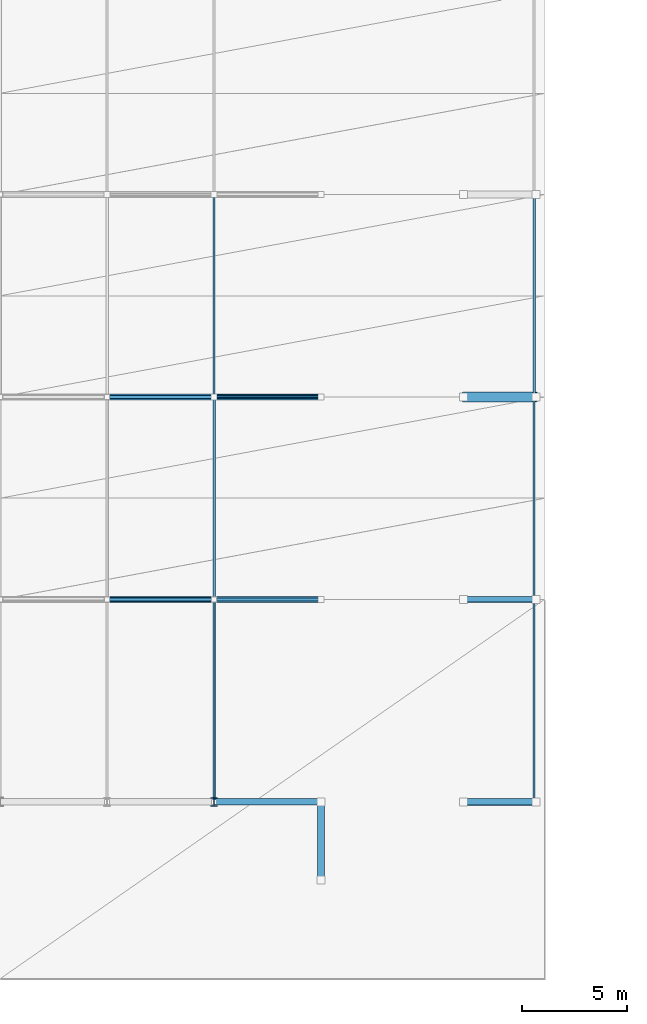
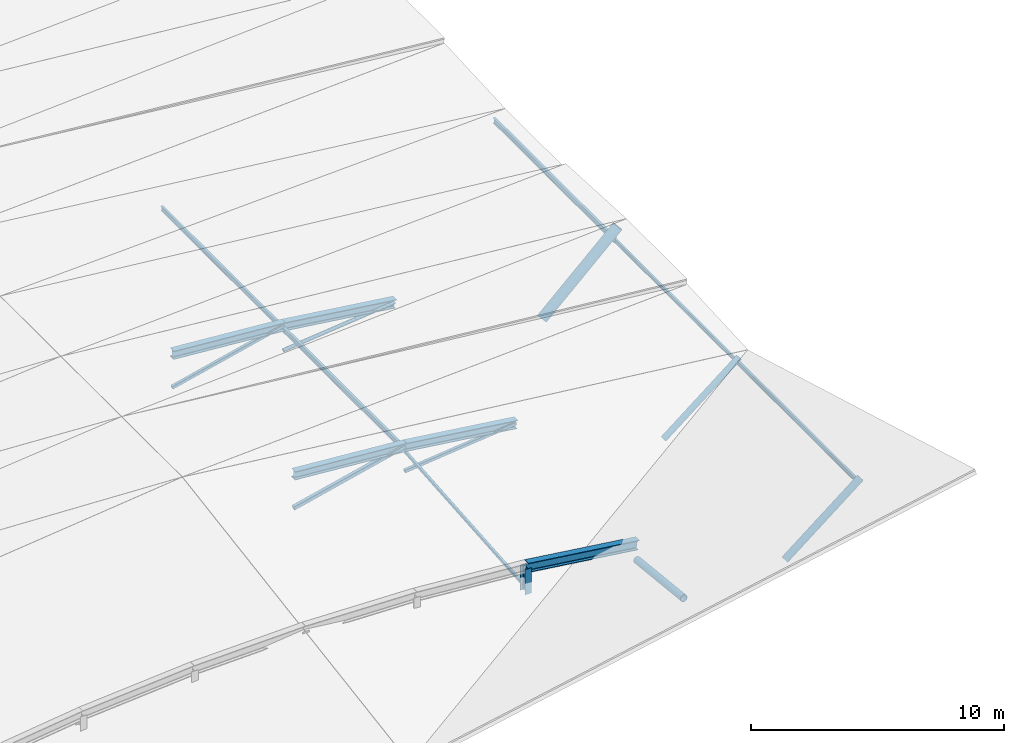
# One storey, part 6 of 16: 20 members.
"""IFC4 building model written with IfcOpenShell, lengths in metres."""

from ifc_helpers import new_model, si_unit, direction, frame, origin, origin_2d, place, context, subcontext, project, spatial, hollow_rectangle, hollow_circle, i_section, extrude, material, material_profile, profile_set, type_object, element, save


model = new_model("IFC4")

# Units and contexts
model_context = context("Model", 3, precision=1e-05, world=origin(), true_north=direction((0.0, 1.0)))
body_context = subcontext(model_context, "Body", "Model", "MODEL_VIEW")
ifc_project = project(units=[si_unit("LENGTHUNIT", "METRE"), si_unit("AREAUNIT", "SQUARE_METRE"), si_unit("VOLUMEUNIT", "CUBIC_METRE"), si_unit("PLANEANGLEUNIT", "RADIAN"), si_unit("MASSUNIT", "GRAM", prefix="KILO")], contexts=[model_context])

# Site, building, storey
site_placement = place(None, origin())
site = spatial("IfcSite", under=ifc_project, at=site_placement, CompositionType="ELEMENT")
building_placement = place(site_placement, origin())
building = spatial("IfcBuilding", under=site, at=building_placement, Name="Myrtia Square Station", CompositionType="ELEMENT")
storey_placement = place(building_placement, frame((0.0, 0.0, 22.800048828125)))
storey = spatial("IfcBuildingStorey", under=building, at=storey_placement, Name="RF", CompositionType="ELEMENT", Elevation=22.800048828125)

# Members
ifc_material = material(Name="Steel S355", Category="steel")
ifc_material_profile_1 = material_profile(ifc_material, hollow_circle(Radius=0.084228515625, WallThickness=0.010009765625, at=origin_2d()), Name="CHS 168.3x10")
ifc_profile_set_1 = profile_set([ifc_material_profile_1], Name="Steel S355")
member_type_1 = type_object("IfcMemberType", Name="BRC-CHS168", PredefinedType="BRACE", material=ifc_profile_set_1)
member_1_placement = place(storey_placement, frame((104.72509765625, 48.0, -1.449951171875), z_axis=(0.994182711445, 0.0, 0.107706714109), x_axis=(0.0, 1.0, 0.0)))
element("IfcMember", 1, at=member_1_placement, inside=storey, type_object=member_type_1, Name="Bowstring arch truss 03 web diagonal 6", PredefinedType="BRACE", context=body_context, shape_type="SweptSolid", body=[
    extrude(hollow_circle(Radius=0.084228515625, WallThickness=0.010009765625, at=origin_2d()), origin(), (0.0, 0.0, 1.0), 5.104736328125),
])
ifc_material_profile_2 = material_profile(ifc_material, hollow_rectangle(XDim=0.14990234375, YDim=0.14990234375, WallThickness=0.010009765625, InnerFilletRadius=0.010009765625, OuterFilletRadius=0.02001953125, at=origin_2d()), Name="SHS 150x150x10")
ifc_profile_set_2 = profile_set([ifc_material_profile_2], Name="Steel S355")
member_type_2 = type_object("IfcMemberType", Name="BRC-SHS150", PredefinedType="BRACE", material=ifc_profile_set_2)
member_2_placement = place(storey_placement, frame((104.72509765625, 38.39990234375, -1.449951171875), z_axis=(0.994182711445, 0.0, 0.107706714109), x_axis=(0.0, 1.0, 0.0)))
element("IfcMember", 2, at=member_2_placement, inside=storey, type_object=member_type_2, Name="Bowstring arch truss 02 web diagonal 6", PredefinedType="BRACE", context=body_context, shape_type="SweptSolid", body=[
    extrude(hollow_rectangle(XDim=0.14990234375, YDim=0.14990234375, WallThickness=0.010009765625, InnerFilletRadius=0.010009765625, OuterFilletRadius=0.02001953125, at=origin_2d()), origin(), (0.0, 0.0, 1.0), 5.104736328125),
])
member_3_placement = place(storey_placement, frame((99.64990234375, 48.0, -1.449951171875), z_axis=(0.972441626992, 0.0, 0.233146482053), x_axis=(0.0, 1.0, 0.0)))
element("IfcMember", 3, at=member_3_placement, inside=storey, type_object=member_type_2, Name="Bowstring arch truss 03 web diagonal 5", PredefinedType="BRACE", context=body_context, shape_type="SweptSolid", body=[
    extrude(hollow_rectangle(XDim=0.14990234375, YDim=0.14990234375, WallThickness=0.010009765625, InnerFilletRadius=0.010009765625, OuterFilletRadius=0.02001953125, at=origin_2d()), origin(), (0.0, 0.0, 1.0), 5.218994140625),
])
ifc_material_profile_3 = material_profile(ifc_material, hollow_rectangle(XDim=0.179931640625, YDim=0.179931640625, WallThickness=0.012451171875, InnerFilletRadius=0.012451171875, OuterFilletRadius=0.02490234375, at=origin_2d()), Name="SHS 180x180x12.5")
ifc_profile_set_3 = profile_set([ifc_material_profile_3], Name="Steel S355")
member_type_3 = type_object("IfcMemberType", Name="BRC-SHS180", PredefinedType="BRACE", material=ifc_profile_set_3)
member_4_placement = place(storey_placement, frame((99.64990234375, 38.39990234375, -1.449951171875), z_axis=(0.972441626992, 0.0, 0.233146482053), x_axis=(0.0, 1.0, 0.0)))
element("IfcMember", 4, at=member_4_placement, inside=storey, type_object=member_type_3, Name="Bowstring arch truss 02 web diagonal 5", PredefinedType="BRACE", context=body_context, shape_type="SweptSolid", body=[
    extrude(hollow_rectangle(XDim=0.179931640625, YDim=0.179931640625, WallThickness=0.012451171875, InnerFilletRadius=0.012451171875, OuterFilletRadius=0.02490234375, at=origin_2d()), origin(), (0.0, 0.0, 1.0), 5.218994140625),
])
ifc_material_profile_4 = material_profile(ifc_material, i_section(OverallWidth=0.300048828125, OverallDepth=0.39990234375, WebThickness=0.013427734375, FlangeThickness=0.02392578125, FilletRadius=0.027099609375, at=origin_2d()), Name="HEB 400")
ifc_profile_set_4 = profile_set([ifc_material_profile_4], Name="Steel S355")
member_type_4 = type_object("IfcMemberType", Name="CHD-HEB400", PredefinedType="CHORD", material=ifc_profile_set_4)
member_5_placement = place(storey_placement, frame((104.72509765625, 28.800048828125, -1.449951171875), z_axis=(0.0, 0.0, 1.0), x_axis=(1.0, 0.0, 0.0)))
element("IfcMember", 5, at=member_5_placement, inside=storey, type_object=member_type_4, Name="Bowstring arch truss 01 vertical hanger 5", PredefinedType="CHORD", context=body_context, shape_type="SweptSolid", body=[
    extrude(i_section(OverallWidth=0.300048828125, OverallDepth=0.39990234375, WebThickness=0.013427734375, FlangeThickness=0.02392578125, FilletRadius=0.027099609375, at=origin_2d()), origin(), (0.0, 0.0, 1.0), 1.216796875),
])
member_6_placement = place(storey_placement, frame((99.64990234375, 38.39990234375, 0.1669921875), z_axis=(0.996906262509, 0.0, -0.078599642306), x_axis=(0.0, 1.0, 0.0)))
element("IfcMember", 6, at=member_6_placement, inside=storey, type_object=member_type_4, Name="Bowstring arch truss 02 arch chord 5", PredefinedType="CHORD", context=body_context, shape_type="SweptSolid", body=[
    extrude(i_section(OverallWidth=0.300048828125, OverallDepth=0.39990234375, WebThickness=0.013427734375, FlangeThickness=0.02392578125, FilletRadius=0.027099609375, at=origin_2d()), origin(), (0.0, 0.0, 1.0), 5.091064453125),
])
member_7_placement = place(storey_placement, frame((104.72509765625, 38.39990234375, -0.233154296875), z_axis=(0.991473603665, 0.0, -0.130307686786), x_axis=(0.0, 1.0, 0.0)))
element("IfcMember", 7, at=member_7_placement, inside=storey, type_object=member_type_4, Name="Bowstring arch truss 02 arch chord 6", PredefinedType="CHORD", context=body_context, shape_type="SweptSolid", body=[
    extrude(i_section(OverallWidth=0.300048828125, OverallDepth=0.39990234375, WebThickness=0.013427734375, FlangeThickness=0.02392578125, FilletRadius=0.027099609375, at=origin_2d()), origin(), (0.0, 0.0, 1.0), 5.11865234375),
])
member_8_placement = place(storey_placement, frame((99.64990234375, 48.0, 0.1669921875), z_axis=(0.996906262509, 0.0, -0.078599642306), x_axis=(0.0, 1.0, 0.0)))
element("IfcMember", 8, at=member_8_placement, inside=storey, type_object=member_type_4, Name="Bowstring arch truss 03 arch chord 5", PredefinedType="CHORD", context=body_context, shape_type="SweptSolid", body=[
    extrude(i_section(OverallWidth=0.300048828125, OverallDepth=0.39990234375, WebThickness=0.013427734375, FlangeThickness=0.02392578125, FilletRadius=0.027099609375, at=origin_2d()), origin(), (0.0, 0.0, 1.0), 5.091064453125),
])
member_9_placement = place(storey_placement, frame((104.72509765625, 48.0, -0.233154296875), z_axis=(0.991473603665, 0.0, -0.130307686786), x_axis=(0.0, 1.0, 0.0)))
element("IfcMember", 9, at=member_9_placement, inside=storey, type_object=member_type_4, Name="Bowstring arch truss 03 arch chord 6", PredefinedType="CHORD", context=body_context, shape_type="SweptSolid", body=[
    extrude(i_section(OverallWidth=0.300048828125, OverallDepth=0.39990234375, WebThickness=0.013427734375, FlangeThickness=0.02392578125, FilletRadius=0.027099609375, at=origin_2d()), origin(), (0.0, 0.0, 1.0), 5.11865234375),
])
ifc_material_profile_5 = material_profile(ifc_material, i_section(OverallWidth=0.300048828125, OverallDepth=0.449951171875, WebThickness=0.013916015625, FlangeThickness=0.02587890625, FilletRadius=0.027099609375, at=origin_2d()), Name="HEB 450")
ifc_profile_set_5 = profile_set([ifc_material_profile_5], Name="Steel S355")
member_type_5 = type_object("IfcMemberType", Name="CHD-HEB450", PredefinedType="CHORD", material=ifc_profile_set_5)
member_10_placement = place(storey_placement, frame((104.72509765625, 28.800048828125, -0.233154296875), z_axis=(0.991473603665, 0.0, -0.130307686786), x_axis=(0.0, 1.0, 0.0)))
element("IfcMember", 10, at=member_10_placement, inside=storey, type_object=member_type_5, Name="Bowstring arch truss 01 arch chord 6", PredefinedType="CHORD", context=body_context, shape_type="SweptSolid", body=[
    extrude(i_section(OverallWidth=0.300048828125, OverallDepth=0.449951171875, WebThickness=0.013916015625, FlangeThickness=0.02587890625, FilletRadius=0.027099609375, at=origin_2d()), origin(), (0.0, 0.0, 1.0), 5.11865234375),
])
ifc_material_profile_6 = material_profile(ifc_material, i_section(OverallWidth=0.091064453125, OverallDepth=0.179931640625, WebThickness=0.00537109375, FlangeThickness=0.008056640625, FilletRadius=0.009033203125, at=origin_2d()), Name="IPE 180")
ifc_profile_set_6 = profile_set([ifc_material_profile_6], Name="Steel S355")
member_type_6 = type_object("IfcMemberType", Name="PUR-IPE180", PredefinedType="PURLIN", material=ifc_profile_set_6)
member_11_placement = place(storey_placement, frame((119.89990234375, 38.39990234375, -1.4599609375), z_axis=(0.0, 1.0, 0.0), x_axis=(-1.0, 0.0, 0.0)))
element("IfcMember", 11, at=member_11_placement, inside=storey, type_object=member_type_6, Name="Overhang eave purlin PUR-RF-0015", PredefinedType="PURLIN", context=body_context, shape_type="SweptSolid", body=[
    extrude(i_section(OverallWidth=0.091064453125, OverallDepth=0.179931640625, WebThickness=0.00537109375, FlangeThickness=0.008056640625, FilletRadius=0.009033203125, at=origin_2d()), origin(), (0.0, 0.0, 1.0), 9.60009765625),
])
ifc_material_profile_7 = material_profile(ifc_material, i_section(OverallWidth=0.10009765625, OverallDepth=0.199951171875, WebThickness=0.005615234375, FlangeThickness=0.008544921875, FilletRadius=0.011962890625, at=origin_2d()), Name="IPE 200")
ifc_profile_set_7 = profile_set([ifc_material_profile_7], Name="Steel S355")
member_type_7 = type_object("IfcMemberType", Name="PUR-IPE200", PredefinedType="PURLIN", material=ifc_profile_set_7)
member_12_placement = place(storey_placement, frame((119.89990234375, 28.800048828125, -1.4599609375), z_axis=(0.0, 1.0, 0.0), x_axis=(-1.0, 0.0, 0.0)))
element("IfcMember", 12, at=member_12_placement, inside=storey, type_object=member_type_7, Name="Overhang eave purlin PUR-RF-0007", PredefinedType="PURLIN", context=body_context, shape_type="SweptSolid", body=[
    extrude(i_section(OverallWidth=0.10009765625, OverallDepth=0.199951171875, WebThickness=0.005615234375, FlangeThickness=0.008544921875, FilletRadius=0.011962890625, at=origin_2d()), origin(), (0.0, 0.0, 1.0), 9.599853515625),
])
ifc_material_profile_8 = material_profile(ifc_material, i_section(OverallWidth=0.110107421875, OverallDepth=0.219970703125, WebThickness=0.005859375, FlangeThickness=0.00927734375, FilletRadius=0.011962890625, at=origin_2d()), Name="IPE 220")
ifc_profile_set_8 = profile_set([ifc_material_profile_8], Name="Steel S355")
member_type_8 = type_object("IfcMemberType", Name="PUR-IPE220", PredefinedType="PURLIN", material=ifc_profile_set_8)
member_13_placement = place(storey_placement, frame((104.72509765625, 48.0, -0.393310546875), z_axis=(0.0, 1.0, 0.0), x_axis=(-1.0, 0.0, 0.0)))
element("IfcMember", 13, at=member_13_placement, inside=storey, type_object=member_type_8, Name="Folded roof purlin PUR-RF-0022", PredefinedType="PURLIN", context=body_context, shape_type="SweptSolid", body=[
    extrude(i_section(OverallWidth=0.110107421875, OverallDepth=0.219970703125, WebThickness=0.005859375, FlangeThickness=0.00927734375, FilletRadius=0.011962890625, at=origin_2d()), origin(), (0.0, 0.0, 1.0), 9.60009765625),
])
ifc_material_profile_9 = material_profile(ifc_material, i_section(OverallWidth=0.1201171875, OverallDepth=0.239990234375, WebThickness=0.006103515625, FlangeThickness=0.009765625, FilletRadius=0.014892578125, at=origin_2d()), Name="IPE 240")
ifc_profile_set_9 = profile_set([ifc_material_profile_9], Name="Steel S355")
member_type_9 = type_object("IfcMemberType", Name="PUR-IPE240", PredefinedType="PURLIN", material=ifc_profile_set_9)
for number, where, z_axis, x_axis, name in (
    (14, (104.72509765625, 38.39990234375, -0.393310546875), (0.0, 1.0, 0.0), (-1.0, 0.0, 0.0), "Folded roof purlin PUR-RF-0013"),
    (15, (119.89990234375, 48.0, -1.4599609375), (0.0, 1.0, 0.0), (-1.0, 0.0, 0.0), "Overhang eave purlin PUR-RF-0024"),
):
    element("IfcMember", number, at=place(storey_placement, frame(where, z_axis=z_axis, x_axis=x_axis)), inside=storey, type_object=member_type_9, Name=name, PredefinedType="PURLIN", context=body_context, shape_type="SweptSolid", body=[
        extrude(i_section(OverallWidth=0.1201171875, OverallDepth=0.239990234375, WebThickness=0.006103515625, FlangeThickness=0.009765625, FilletRadius=0.014892578125, at=origin_2d()), origin(), (0.0, 0.0, 1.0), 9.60009765625),
    ])
ifc_material_profile_10 = material_profile(ifc_material, hollow_rectangle(XDim=0.1201171875, YDim=0.1201171875, WallThickness=0.008056640625, InnerFilletRadius=0.008056640625, OuterFilletRadius=0.01611328125, at=origin_2d()), Name="SHS 120x120x8")
ifc_profile_set_10 = profile_set([ifc_material_profile_10], Name="Steel S355")
member_type_10 = type_object("IfcMemberType", Name="PUR-SHS120", PredefinedType="PURLIN", material=ifc_profile_set_10)
member_14_placement = place(storey_placement, frame((104.72509765625, 28.800048828125, -1.241455078125), z_axis=(0.0, 0.996814633653, 0.079753282914), x_axis=(-1.0, 0.0, 0.0)))
element("IfcMember", 16, at=member_14_placement, inside=storey, type_object=member_type_10, Name="Folded roof purlin PUR-RF-0005", PredefinedType="PURLIN", context=body_context, shape_type="SweptSolid", body=[
    extrude(hollow_rectangle(XDim=0.1201171875, YDim=0.1201171875, WallThickness=0.008056640625, InnerFilletRadius=0.008056640625, OuterFilletRadius=0.01611328125, at=origin_2d()), origin(), (0.0, 0.0, 1.0), 9.630615234375),
])
ifc_material_profile_11 = material_profile(ifc_material, hollow_circle(Radius=0.136474609375, WallThickness=0.01611328125, at=origin_2d()), Name="CHS 273x16")
ifc_profile_set_11 = profile_set([ifc_material_profile_11], Name="Steel S355")
member_type_11 = type_object("IfcMemberType", Name="STR-CHS273", PredefinedType="STRUT", material=ifc_profile_set_11)
member_15_placement = place(storey_placement, frame((116.550048828125, 38.39990234375, -4.050048828125), z_axis=(0.782508461371, 0.0, 0.622639950439), x_axis=(0.0, 1.0, 0.0)))
element("IfcMember", 17, at=member_15_placement, inside=storey, type_object=member_type_11, Name="Folded roof overhang raking strut STR-UP-005", PredefinedType="STRUT", context=body_context, shape_type="SweptSolid", body=[
    extrude(hollow_circle(Radius=0.136474609375, WallThickness=0.01611328125, at=origin_2d()), origin(), (0.0, 0.0, 1.0), 4.408935546875),
])
ifc_material_profile_12 = material_profile(ifc_material, hollow_circle(Radius=0.161865234375, WallThickness=0.01611328125, at=origin_2d()), Name="CHS 323.9x16")
ifc_profile_set_12 = profile_set([ifc_material_profile_12], Name="Steel S355")
member_type_12 = type_object("IfcMemberType", Name="STR-CHS323", PredefinedType="STRUT", material=ifc_profile_set_12)
member_16_placement = place(storey_placement, frame((116.550048828125, 28.800048828125, -4.050048828125), z_axis=(0.782508461371, 0.0, 0.622639950439), x_axis=(0.0, 1.0, 0.0)))
element("IfcMember", 18, at=member_16_placement, inside=storey, type_object=member_type_12, Name="Folded roof overhang raking strut STR-UP-002", PredefinedType="STRUT", context=body_context, shape_type="SweptSolid", body=[
    extrude(hollow_circle(Radius=0.161865234375, WallThickness=0.01611328125, at=origin_2d()), origin(), (0.0, 0.0, 1.0), 4.408935546875),
])
member_17_placement = place(storey_placement, frame((109.800048828125, 28.800048828125, -1.699951171875), z_axis=(0.0, -0.99434904685, 0.106160129185), x_axis=(1.0, 0.0, 0.0)))
element("IfcMember", 19, at=member_17_placement, inside=storey, type_object=member_type_12, Name="Gable upper overhang raking strut STR-UP-GAB-031", PredefinedType="STRUT", context=body_context, shape_type="SweptSolid", body=[
    extrude(hollow_circle(Radius=0.161865234375, WallThickness=0.01611328125, at=origin_2d()), origin(), (0.0, 0.0, 1.0), 3.720947265625),
])
ifc_material_profile_13 = material_profile(ifc_material, hollow_circle(Radius=0.228515625, WallThickness=0.02490234375, at=origin_2d()), Name="CHS 457x25")
ifc_profile_set_13 = profile_set([ifc_material_profile_13], Name="Steel S355")
member_type_13 = type_object("IfcMemberType", Name="STR-CHS457", PredefinedType="STRUT", material=ifc_profile_set_13)
member_18_placement = place(storey_placement, frame((116.550048828125, 48.0, -4.050048828125), z_axis=(0.728399715211, 0.0, 0.685152431858), x_axis=(0.0, 1.0, 0.0)))
element("IfcMember", 20, at=member_18_placement, inside=storey, type_object=member_type_13, Name="Folded roof overhang raking strut STR-UP-008", PredefinedType="STRUT", context=body_context, shape_type="SweptSolid", body=[
    extrude(hollow_circle(Radius=0.228515625, WallThickness=0.02490234375, at=origin_2d()), origin(), (0.0, 0.0, 1.0), 4.736328125),
])

save(model, "model.ifc")
